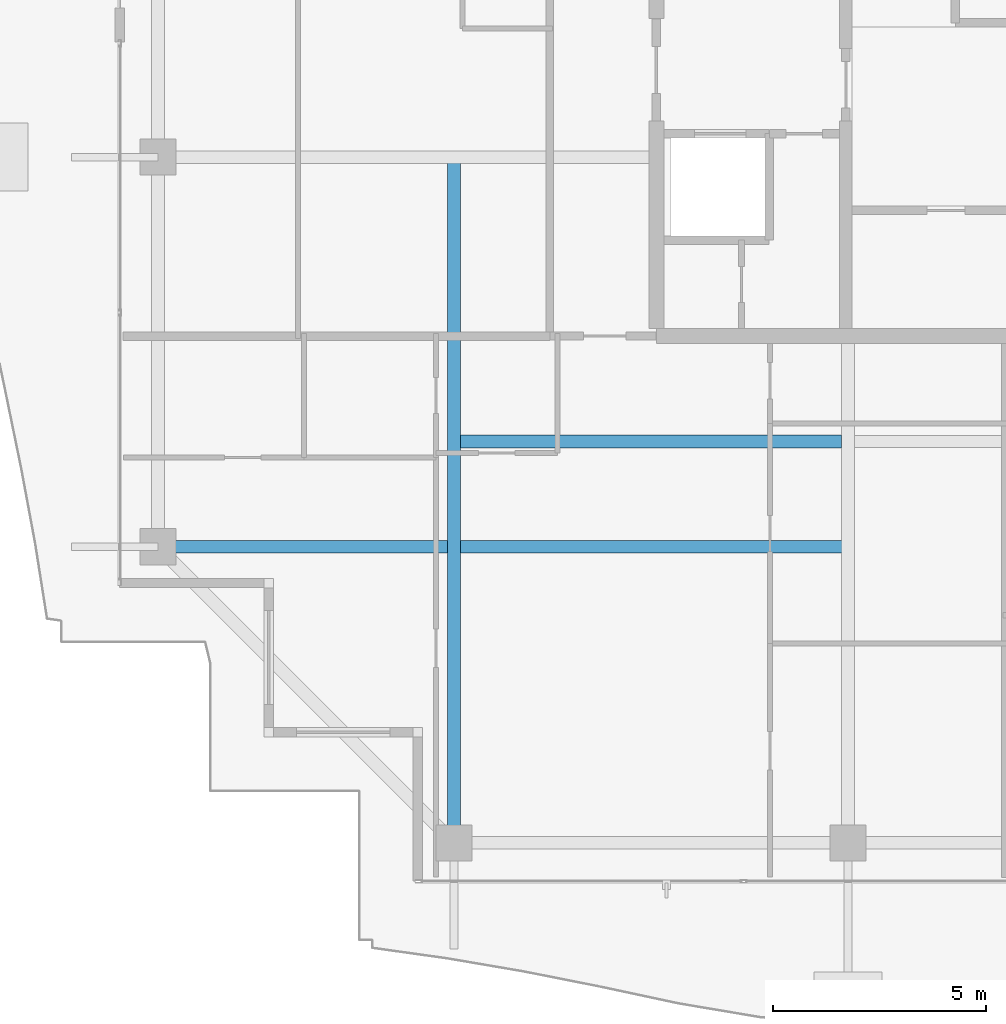
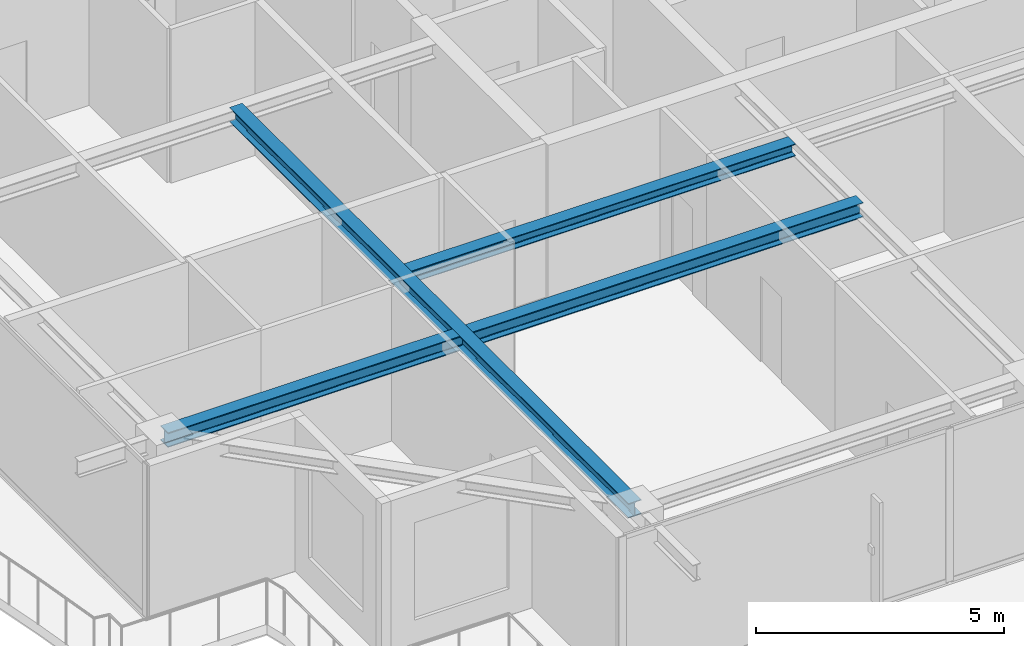
# One storey, part 4 of 36: 3 beams.
"""IFC4 building model written with IfcOpenShell, lengths in metres."""

from ifc_helpers import new_model, si_unit, direction, frame, origin, origin_2d, place, context, subcontext, project, spatial, i_section, extrude, source, transform, mapped, material, material_profile, profile_set, type_object, element, save


model = new_model("IFC4")

# Units and contexts
model_context = context("Model", 3, precision=1e-05, world=origin(), true_north=direction((0.0, 1.0)))
body_context = subcontext(model_context, "Body", "Model", "MODEL_VIEW")
ifc_project = project(units=[si_unit("LENGTHUNIT", "METRE"), si_unit("AREAUNIT", "SQUARE_METRE"), si_unit("VOLUMEUNIT", "CUBIC_METRE"), si_unit("PLANEANGLEUNIT", "RADIAN"), si_unit("MASSUNIT", "GRAM", prefix="KILO")], contexts=[model_context])

# Site, building, storey
site_placement = place(None, origin())
site = spatial("IfcSite", under=ifc_project, at=site_placement, CompositionType="ELEMENT")
building_placement = place(site_placement, origin())
building = spatial("IfcBuilding", under=site, at=building_placement, Name="Serunith Strait Residences", CompositionType="ELEMENT")
storey_placement = place(building_placement, frame((0.0, 0.0, 338.0)))
storey = spatial("IfcBuildingStorey", under=building, at=storey_placement, Name="L84", CompositionType="ELEMENT", Elevation=338.0)

# Beams
ifc_material = material(Name="Steel S355J2", Category="steel")
ifc_material_profile_1 = material_profile(ifc_material, i_section(OverallWidth=0.300048828125, OverallDepth=0.360107421875, WebThickness=0.012451171875, FlangeThickness=0.0224609375, FilletRadius=0.027099609375, at=origin_2d()), Name="HEB 360")
ifc_profile_set_1 = profile_set([ifc_material_profile_1], Name="Steel S355J2")
beam_type_1 = type_object("IfcBeamType", Name="BM-HEB360", PredefinedType="BEAM", material=ifc_profile_set_1)
shared_shape_1 = source(origin(), body_context, "Body", "SweptSolid", [
    extrude(i_section(OverallWidth=0.300048828125, OverallDepth=0.360107421875, WebThickness=0.012451171875, FlangeThickness=0.0224609375, FilletRadius=0.027099609375, at=origin_2d()), origin(), (0.0, 0.0, 1.0), 16.10009765625),
])
beam_1_placement = place(storey_placement, frame((18.64990234375, 21.0, 3.60693359375), z_axis=(0.0, -1.0, 0.0), x_axis=(1.0, 0.0, 0.0)))
element("IfcBeam", 1, at=beam_1_placement, inside=storey, type_object=beam_type_1, Name="L84 Orthogonal Corner Girder TC-S1", PredefinedType="BEAM", context=body_context, shape_type="MappedRepresentation", body=[
    mapped(shared_shape_1, transform((0.0, 0.0, 0.0), scale=1.0)),
])
shared_shape_2 = source(origin(), body_context, "Body", "SweptSolid", [
    extrude(i_section(OverallWidth=0.300048828125, OverallDepth=0.360107421875, WebThickness=0.012451171875, FlangeThickness=0.0224609375, FilletRadius=0.027099609375, at=origin_2d()), origin(), (0.0, 0.0, 1.0), 16.199951171875),
])
beam_2_placement = place(storey_placement, frame((27.89990234375, 11.85009765625, 3.60693359375), z_axis=(-1.0, 0.0, 0.0), x_axis=(0.0, -1.0, 0.0)))
element("IfcBeam", 2, at=beam_2_placement, inside=storey, type_object=beam_type_1, Name="L84 Orthogonal Corner Girder TC-W1", PredefinedType="BEAM", context=body_context, shape_type="MappedRepresentation", body=[
    mapped(shared_shape_2, transform((0.0, 0.0, 0.0), scale=1.0)),
])
ifc_material_profile_2 = material_profile(ifc_material, i_section(OverallWidth=0.300048828125, OverallDepth=0.300048828125, WebThickness=0.010986328125, FlangeThickness=0.01904296875, FilletRadius=0.027099609375, at=origin_2d()), Name="HEB 300")
ifc_profile_set_2 = profile_set([ifc_material_profile_2], Name="Steel S355J2")
beam_type_2 = type_object("IfcBeamType", Name="BM-HEB300", PredefinedType="JOIST", material=ifc_profile_set_2)
shared_shape_3 = source(origin(), body_context, "Body", "SweptSolid", [
    extrude(i_section(OverallWidth=0.300048828125, OverallDepth=0.300048828125, WebThickness=0.010986328125, FlangeThickness=0.01904296875, FilletRadius=0.027099609375, at=origin_2d()), origin(), (0.0, 0.0, 1.0), 8.949951171875),
])
beam_3_placement = place(storey_placement, frame((18.800048828125, 14.324951171875, 3.636962890625), z_axis=(1.0, 0.0, 0.0), x_axis=(0.0, 1.0, 0.0)))
element("IfcBeam", 3, at=beam_3_placement, inside=storey, type_object=beam_type_2, Name="L84 Composite Floor Joist 01", PredefinedType="JOIST", context=body_context, shape_type="MappedRepresentation", body=[
    mapped(shared_shape_3, transform((0.0, 0.0, 0.0), scale=1.0)),
])

save(model, "model.ifc")
